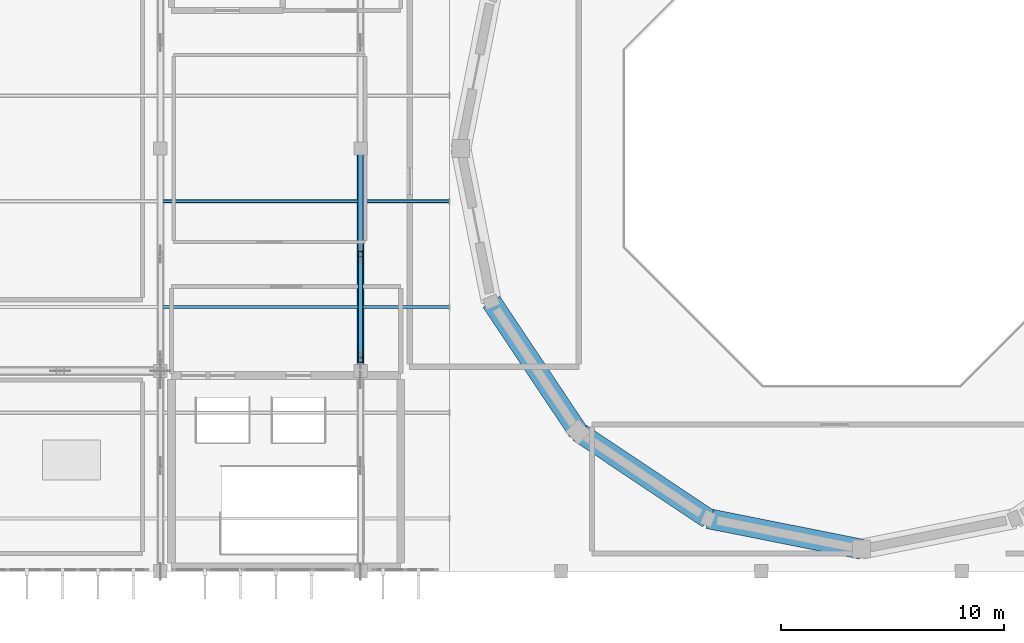
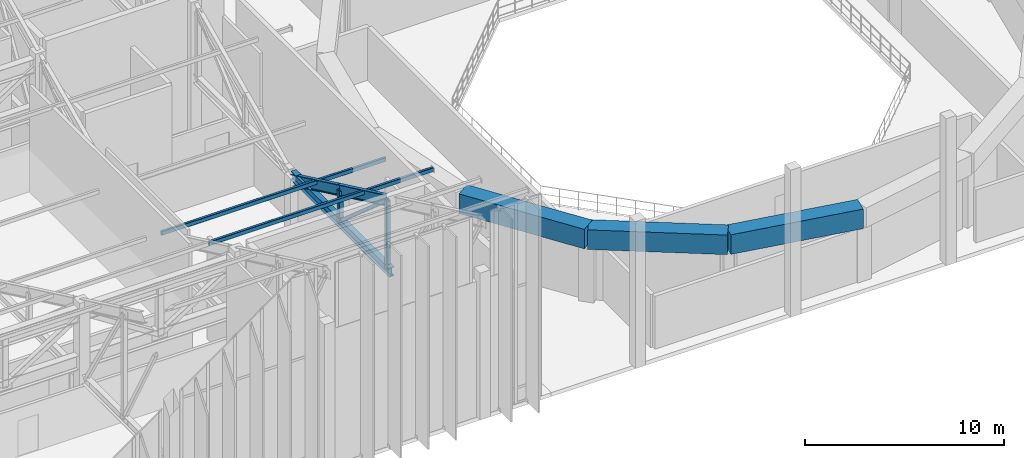
# One storey, part 26 of 68: 6 beams, 5 members.
"""IFC4 building model written with IfcOpenShell, lengths in metres."""

from ifc_helpers import new_model, si_unit, direction, frame, origin, origin_2d, place, context, subcontext, project, spatial, rectangle, hollow_rectangle, i_section, extrude, material, material_profile, profile_set, type_object, element, save


model = new_model("IFC4")

# Units and contexts
model_context = context("Model", 3, precision=1e-05, world=origin(), true_north=direction((0.0, 1.0)))
body_context = subcontext(model_context, "Body", "Model", "MODEL_VIEW")
ifc_project = project(units=[si_unit("LENGTHUNIT", "METRE"), si_unit("AREAUNIT", "SQUARE_METRE"), si_unit("VOLUMEUNIT", "CUBIC_METRE"), si_unit("PLANEANGLEUNIT", "RADIAN"), si_unit("MASSUNIT", "GRAM", prefix="KILO")], contexts=[model_context])

# Site, building, storey
site_placement = place(None, origin())
site = spatial("IfcSite", under=ifc_project, at=site_placement, CompositionType="ELEMENT")
building_placement = place(site_placement, origin())
building = spatial("IfcBuilding", under=site, at=building_placement, Name="Miravela Opera House", CompositionType="ELEMENT")
storey_placement = place(building_placement, frame((0.0, 0.0, 21.760009765625)))
storey = spatial("IfcBuildingStorey", under=building, at=storey_placement, Name="L05", CompositionType="ELEMENT", Elevation=21.760009765625)

# Beams
ifc_material_1 = material(Name="Structural steel ASTM A992 Gr. 50", Category="steel")
ifc_material_profile_1 = material_profile(ifc_material_1, i_section(OverallWidth=0.31201171875, OverallDepth=0.54296875, WebThickness=0.0126953125, FlangeThickness=0.020263671875, FilletRadius=0.01611328125, at=origin_2d()), Name="W530X150")
ifc_profile_set_1 = profile_set([ifc_material_profile_1])
beam_type_1 = type_object("IfcBeamType", Name="STR-BM-W530X150", PredefinedType="BEAM", material=ifc_profile_set_1)
beam_1_placement = place(storey_placement, frame((54.0, 46.080078125, 3.280029296875), z_axis=(0.0, 1.0, 0.0), x_axis=(-1.0, 0.0, 0.0)))
element("IfcBeam", 1, at=beam_1_placement, inside=storey, type_object=beam_type_1, Name="V-Crest Roof Truss Bottom Tie Chord X=54 Seg 2", PredefinedType="BEAM", context=body_context, shape_type="SweptSolid", body=[
    extrude(i_section(OverallWidth=0.31201171875, OverallDepth=0.54296875, WebThickness=0.0126953125, FlangeThickness=0.020263671875, FilletRadius=0.01611328125, at=origin_2d()), origin(), (0.0, 0.0, 1.0), 9.83984375),
])
ifc_material_profile_2 = material_profile(ifc_material_1, i_section(OverallWidth=0.22998046875, OverallDepth=0.616943359375, WebThickness=0.01318359375, FlangeThickness=0.022216796875, FilletRadius=0.01806640625, at=origin_2d()), Name="W610X140")
ifc_profile_set_2 = profile_set([ifc_material_profile_2])
beam_type_2 = type_object("IfcBeamType", Name="STR-BM-W610X140", PredefinedType="BEAM", material=ifc_profile_set_2)
for number, where, z_axis, x_axis, name in (
    (2, (54.0, 46.5, 7.439453125), (0.0, 0.903737838894, -0.428086344739), (-1.0, 0.0, 0.0), "V-Crest Roof Rafter Girder X=54 Seg 3"),
    (3, (54.0, 51.25, 5.189453125), (0.0, 0.903737838894, -0.428086344739), (-1.0, 0.0, 0.0), "V-Crest Roof Rafter Girder X=54 Seg 4"),
):
    element("IfcBeam", number, at=place(storey_placement, frame(where, z_axis=z_axis, x_axis=x_axis)), inside=storey, type_object=beam_type_2, Name=name, PredefinedType="BEAM", context=body_context, shape_type="SweptSolid", body=[
        extrude(i_section(OverallWidth=0.22998046875, OverallDepth=0.616943359375, WebThickness=0.01318359375, FlangeThickness=0.022216796875, FilletRadius=0.01806640625, at=origin_2d()), origin(), (0.0, 0.0, 1.0), 5.255859375),
    ])

# Members
ifc_material_2 = material(Name="Hollow structural steel ASTM A500 Gr. C", Category="steel")
ifc_material_profile_3 = material_profile(ifc_material_2, hollow_rectangle(XDim=0.25, YDim=0.25, WallThickness=0.011962890625, InnerFilletRadius=0.011962890625, OuterFilletRadius=0.02392578125, at=origin_2d()), Name="HSS250X250X12")
ifc_profile_set_3 = profile_set([ifc_material_profile_3])
member_type_1 = type_object("IfcMemberType", Name="STR-MEM-CANT-POST2", PredefinedType="POST", material=ifc_profile_set_3)
member_1_placement = place(storey_placement, frame((54.0, 46.5, 3.280029296875), z_axis=(0.0, 0.0, 1.0), x_axis=(1.0, 0.0, 0.0)))
element("IfcMember", 4, at=member_1_placement, inside=storey, type_object=member_type_1, Name="V-Crest Roof Truss Panel Post X=54 Node 2", PredefinedType="POST", context=body_context, shape_type="SweptSolid", body=[
    extrude(hollow_rectangle(XDim=0.25, YDim=0.25, WallThickness=0.011962890625, InnerFilletRadius=0.011962890625, OuterFilletRadius=0.02392578125, at=origin_2d()), origin(), (0.0, 0.0, 1.0), 4.159912109375),
])
member_2_placement = place(storey_placement, frame((54.0, 51.25, 3.280029296875), z_axis=(0.0, 0.0, 1.0), x_axis=(1.0, 0.0, 0.0)))
element("IfcMember", 5, at=member_2_placement, inside=storey, type_object=member_type_1, Name="V-Crest Roof Truss Panel Post X=54 Node 3", PredefinedType="POST", context=body_context, shape_type="SweptSolid", body=[
    extrude(hollow_rectangle(XDim=0.25, YDim=0.25, WallThickness=0.011962890625, InnerFilletRadius=0.011962890625, OuterFilletRadius=0.02392578125, at=origin_2d()), origin(), (0.0, 0.0, 1.0), 1.909912109375),
])
ifc_material_profile_4 = material_profile(ifc_material_2, hollow_rectangle(XDim=0.14990234375, YDim=0.25, WallThickness=0.011962890625, InnerFilletRadius=0.011962890625, OuterFilletRadius=0.02392578125, at=origin_2d()), Name="HSS250X150X12")
ifc_profile_set_4 = profile_set([ifc_material_profile_4])
member_type_2 = type_object("IfcMemberType", Name="STR-MEM-PURLIN-1", PredefinedType="PURLIN", material=ifc_profile_set_4)
for number, where, z_axis, x_axis, name in (
    (6, (45.010009765625, 48.875, 6.494873046875), (1.0, 0.0, 0.0), (0.0, 1.0, 0.0), "V-Roof Steel Purlin B3.4"),
    (7, (45.010009765625, 53.625, 4.244873046875), (1.0, 0.0, 0.0), (0.0, 1.0, 0.0), "V-Roof Steel Purlin B4.4"),
):
    element("IfcMember", number, at=place(storey_placement, frame(where, z_axis=z_axis, x_axis=x_axis)), inside=storey, type_object=member_type_2, Name=name, PredefinedType="PURLIN", context=body_context, shape_type="SweptSolid", body=[
        extrude(hollow_rectangle(XDim=0.14990234375, YDim=0.25, WallThickness=0.011962890625, InnerFilletRadius=0.011962890625, OuterFilletRadius=0.02392578125, at=origin_2d()), origin(), (0.0, 0.0, 1.0), 12.97998046875),
    ])
ifc_material_profile_5 = material_profile(ifc_material_2, hollow_rectangle(XDim=0.199951171875, YDim=0.199951171875, WallThickness=0.010009765625, InnerFilletRadius=0.010009765625, OuterFilletRadius=0.02001953125, at=origin_2d()), Name="HSS200X200X10")
ifc_profile_set_5 = profile_set([ifc_material_profile_5])
member_type_3 = type_object("IfcMemberType", Name="STR-MEM-WEDGE-WEB", PredefinedType="BRACE", material=ifc_profile_set_5)
member_3_placement = place(storey_placement, frame((54.0, 51.25, 3.280029296875), z_axis=(0.0, -0.752289193007, 0.658833036577), x_axis=(1.0, 0.0, 0.0)))
element("IfcMember", 8, at=member_3_placement, inside=storey, type_object=member_type_3, Name="V-Crest Roof Truss Web Diagonal X=54 Bay 3", PredefinedType="BRACE", context=body_context, shape_type="SweptSolid", body=[
    extrude(hollow_rectangle(XDim=0.199951171875, YDim=0.199951171875, WallThickness=0.010009765625, InnerFilletRadius=0.010009765625, OuterFilletRadius=0.02001953125, at=origin_2d()), origin(), (0.0, 0.0, 1.0), 6.31396484375),
])

# Beams
ifc_material_3 = material(Name="Concrete C40/50", Category="concrete")
ifc_material_profile_6 = material_profile(ifc_material_3, rectangle(XDim=0.89990234375, YDim=1.199951171875, at=origin_2d()), Name="RC-RING-900X1200")
ifc_profile_set_6 = profile_set([ifc_material_profile_6])
beam_type_3 = type_object("IfcBeamType", Name="STR-RING-RC900X1200", PredefinedType="BEAM", material=ifc_profile_set_6)
for number, where, z_axis, x_axis, name in (
    (9, (59.8701171875, 49.11181640625, 3.860107421875), (0.555590303377, -0.831456201368, 0.0), (0.831456201368, 0.555590303377, 0.0), "Auditorium Dome Tension Ring Beam Seg 10"),
    (10, (63.772216796875, 43.272216796875, 3.860107421875), (0.831456201368, -0.555590303377, 0.0), (0.555590303377, 0.831456201368, 0.0), "Auditorium Dome Tension Ring Beam Seg 11"),
):
    element("IfcBeam", number, at=place(storey_placement, frame(where, z_axis=z_axis, x_axis=x_axis)), inside=storey, type_object=beam_type_3, Name=name, PredefinedType="BEAM", context=body_context, shape_type="SweptSolid", body=[
        extrude(rectangle(XDim=0.89990234375, YDim=1.199951171875, at=origin_2d()), origin(), (0.0, 0.0, 1.0), 7.0234375),
    ])
beam_2_placement = place(storey_placement, frame((69.61181640625, 39.3701171875, 3.860107421875), z_axis=(0.980786035562, -0.19508652554, 0.0), x_axis=(0.19508652554, 0.980786035562, 0.0)))
element("IfcBeam", 11, at=beam_2_placement, inside=storey, type_object=beam_type_3, Name="Auditorium Dome Tension Ring Beam Seg 12", PredefinedType="BEAM", context=body_context, shape_type="SweptSolid", body=[
    extrude(rectangle(XDim=0.89990234375, YDim=1.199951171875, at=origin_2d()), origin(), (0.0, 0.0, 1.0), 7.023193359375),
])

save(model, "model.ifc")
